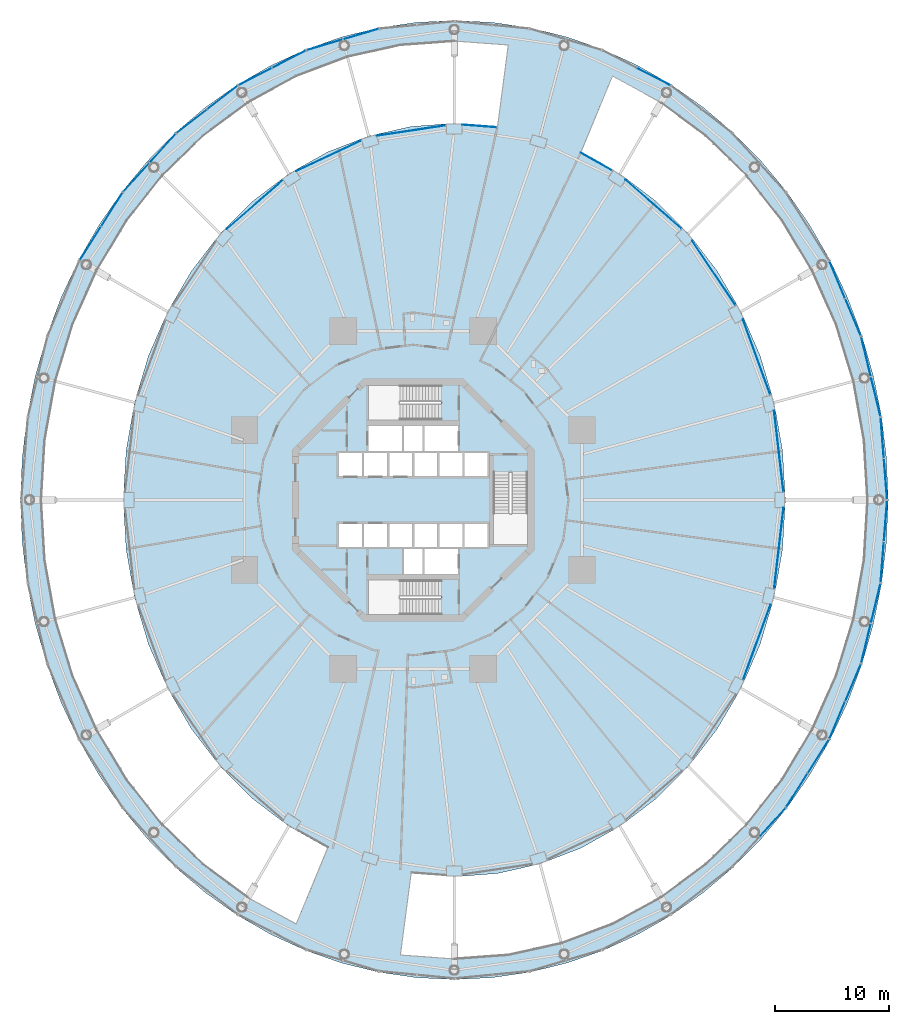
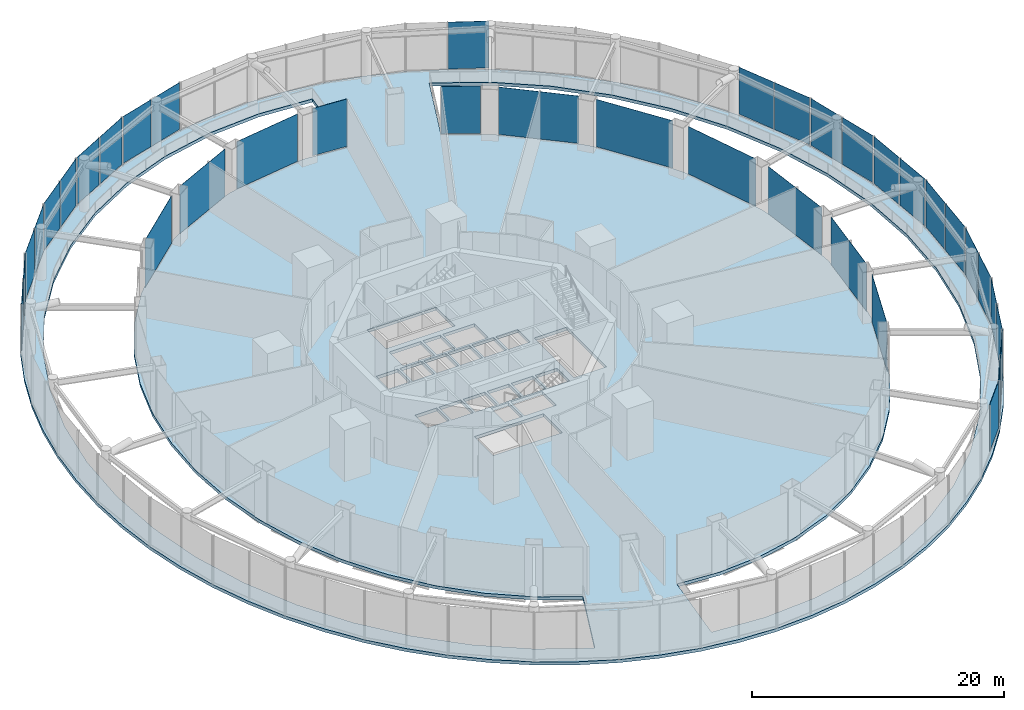
# One storey, part 42 of 52: 37 plates, 1 slab, 25 elements without a shape of their own.
"""IFC4 building model written with IfcOpenShell, lengths in metres."""

from ifc_helpers import new_model, si_unit, direction, frame, origin, origin_2d, place, context, subcontext, project, spatial, polyline, rectangle, outline, extrude, material, layer, layer_set, type_object, element, aggregate, save


model = new_model("IFC4")

# Units and contexts
model_context = context("Model", 3, precision=1e-05, world=origin(), true_north=direction((0.0, 1.0)))
body_context = subcontext(model_context, "Body", "Model", "MODEL_VIEW")
ifc_project = project(units=[si_unit("LENGTHUNIT", "METRE"), si_unit("AREAUNIT", "SQUARE_METRE"), si_unit("VOLUMEUNIT", "CUBIC_METRE"), si_unit("PLANEANGLEUNIT", "RADIAN"), si_unit("MASSUNIT", "GRAM", prefix="KILO")], contexts=[model_context])

# Site, building, storey
site_placement = place(None, origin())
site = spatial("IfcSite", under=ifc_project, at=site_placement, CompositionType="ELEMENT")
building_placement = place(site_placement, origin())
building = spatial("IfcBuilding", under=site, at=building_placement, Name="Nagisa Residences", CompositionType="ELEMENT")
storey_placement = place(building_placement, frame((0.0, 0.0, 22.0)))
storey = spatial("IfcBuildingStorey", under=building, at=storey_placement, Name="L04", CompositionType="ELEMENT", Elevation=22.0)

# Curtain wall, plates
ifc_material_1 = material(Name="Stainless steel curtain wall system", Category="steel")
ifc_layer_1 = layer(ifc_material_1, 0.159912109375)
ifc_layer_set_1 = layer_set([ifc_layer_1], Name="CW3 CURTAIN WALL")
curtain_wall_type_1 = type_object("IfcCurtainWallType", Name="CW3 CURTAIN WALL", PredefinedType="NOTDEFINED", material=ifc_layer_set_1)
curtain_wall_1_placement = place(storey_placement, origin())
curtain_wall_1 = element("IfcCurtainWall", 1, at=curtain_wall_1_placement, inside=storey, type_object=curtain_wall_type_1, Name="cw:CW3:L04:00", PredefinedType="NOTDEFINED")
ifc_material_2 = material(Name="Low-iron laminated glass", Category="glass")
ifc_layer_2 = layer(ifc_material_2, 0.028076171875)
ifc_layer_set_2 = layer_set([ifc_layer_2], Name="CW3 GLASS PANEL")
plate_type_1 = type_object("IfcPlateType", Name="CW3 GLASS PANEL", PredefinedType="CURTAIN_PANEL", material=ifc_layer_set_2)
plate_1_placement = place(storey_placement, frame((41.374267578125, 1.8369140625, 0.199951171875), z_axis=(0.0, 0.0, 1.0), x_axis=(-0.078909582539, 0.996881777235, 0.0)))
plate_1 = element("IfcPlate", 2, at=plate_1_placement, type_object=plate_type_1, Name="CW3 panel", PredefinedType="CURTAIN_PANEL", context=body_context, shape_type="SweptSolid", body=[
    extrude(rectangle(XDim=3.5380859375, YDim=0.028076171875, at=origin_2d()), origin(), (0.0, 0.0, 1.0), 4.5400390625),
])
plate_2_placement = place(storey_placement, frame((41.0888671875, 5.443603515625, 0.199951171875), z_axis=(0.0, 0.0, 1.0), x_axis=(-0.078909582539, 0.996881777235, 0.0)))
plate_2 = element("IfcPlate", 3, at=plate_2_placement, type_object=plate_type_1, Name="CW3 panel", PredefinedType="CURTAIN_PANEL", context=body_context, shape_type="SweptSolid", body=[
    extrude(rectangle(XDim=3.5380859375, YDim=0.028076171875, at=origin_2d()), origin(), (0.0, 0.0, 1.0), 4.5400390625),
])
aggregate(curtain_wall_1, [plate_1, plate_2])

curtain_wall_2_placement = place(storey_placement, origin())
curtain_wall_2 = element("IfcCurtainWall", 4, at=curtain_wall_2_placement, inside=storey, type_object=curtain_wall_type_1, Name="cw:CW3:L04:01", PredefinedType="NOTDEFINED")
plate_3_placement = place(storey_placement, frame((40.51171875, 9.061767578125, 0.199951171875), z_axis=(0.0, 0.0, 1.0), x_axis=(-0.235605514043, 0.971848775146, 0.0)))
plate_3 = element("IfcPlate", 5, at=plate_3_placement, type_object=plate_type_1, Name="CW3 panel", PredefinedType="CURTAIN_PANEL", context=body_context, shape_type="SweptSolid", body=[
    extrude(rectangle(XDim=3.518310546875, YDim=0.028076171875, at=origin_2d()), origin(), (0.0, 0.0, 1.0), 4.5400390625),
])
plate_4_placement = place(storey_placement, frame((39.663818359375, 12.55859375, 0.199951171875), z_axis=(0.0, 0.0, 1.0), x_axis=(-0.235605514043, 0.971848775146, 0.0)))
plate_4 = element("IfcPlate", 6, at=plate_4_placement, type_object=plate_type_1, Name="CW3 panel", PredefinedType="CURTAIN_PANEL", context=body_context, shape_type="SweptSolid", body=[
    extrude(rectangle(XDim=3.518310546875, YDim=0.028076171875, at=origin_2d()), origin(), (0.0, 0.0, 1.0), 4.5400390625),
])
aggregate(curtain_wall_2, [plate_3, plate_4])

curtain_wall_3_placement = place(storey_placement, origin())
curtain_wall_3 = element("IfcCurtainWall", 7, at=curtain_wall_3_placement, inside=storey, type_object=curtain_wall_type_1, Name="cw:CW3:L04:02", PredefinedType="NOTDEFINED")
plate_5_placement = place(storey_placement, frame((38.527099609375, 16.010986328125, 0.199951171875), z_axis=(0.0, 0.0, 1.0), x_axis=(-0.388718029417, 0.921356767819, 0.0)))
plate_5 = element("IfcPlate", 8, at=plate_5_placement, type_object=plate_type_1, Name="CW3 panel", PredefinedType="CURTAIN_PANEL", context=body_context, shape_type="SweptSolid", body=[
    extrude(rectangle(XDim=3.480712890625, YDim=0.028076171875, at=origin_2d()), origin(), (0.0, 0.0, 1.0), 4.5400390625),
])
plate_6_placement = place(storey_placement, frame((37.142822265625, 19.291748046875, 0.199951171875), z_axis=(0.0, 0.0, 1.0), x_axis=(-0.388718029417, 0.921356767819, 0.0)))
plate_6 = element("IfcPlate", 9, at=plate_6_placement, type_object=plate_type_1, Name="CW3 panel", PredefinedType="CURTAIN_PANEL", context=body_context, shape_type="SweptSolid", body=[
    extrude(rectangle(XDim=3.480712890625, YDim=0.028076171875, at=origin_2d()), origin(), (0.0, 0.0, 1.0), 4.5400390625),
])
aggregate(curtain_wall_3, [plate_5, plate_6])

# Curtain wall, plate
curtain_wall_4_placement = place(storey_placement, origin())
curtain_wall_4 = element("IfcCurtainWall", 10, at=curtain_wall_4_placement, inside=storey, type_object=curtain_wall_type_1, Name="cw:CW3:L04:06", PredefinedType="NOTDEFINED")
plate_7_placement = place(storey_placement, frame((21.044677734375, 37.084716796875, 0.199951171875), z_axis=(0.0, 0.0, 1.0), x_axis=(-0.888887270285, 0.45812598783, 0.0)))
plate_7 = element("IfcPlate", 11, at=plate_7_placement, type_object=plate_type_1, Name="CW3 panel", PredefinedType="CURTAIN_PANEL", context=body_context, shape_type="SweptSolid", body=[
    extrude(rectangle(XDim=3.2568359375, YDim=0.028076171875, at=origin_2d()), origin(), (0.0, 0.0, 1.0), 4.5400390625),
])
aggregate(curtain_wall_4, [plate_7])

# Curtain wall, plates
curtain_wall_5_placement = place(storey_placement, origin())
curtain_wall_5 = element("IfcCurtainWall", 12, at=curtain_wall_5_placement, inside=storey, type_object=curtain_wall_type_1, Name="cw:CW3:L04:10", PredefinedType="NOTDEFINED")
plate_8_placement = place(storey_placement, frame((-4.5947265625, 40.805908203125, 0.199951171875), z_axis=(0.0, 0.0, 1.0), x_axis=(-0.958835171393, -0.283963226669, 0.0)))
plate_8 = element("IfcPlate", 13, at=plate_8_placement, type_object=plate_type_1, Name="CW3 panel", PredefinedType="CURTAIN_PANEL", context=body_context, shape_type="SweptSolid", body=[
    extrude(rectangle(XDim=3.21630859375, YDim=0.028076171875, at=origin_2d()), origin(), (0.0, 0.0, 1.0), 4.5400390625),
])
plate_9_placement = place(storey_placement, frame((-7.75537109375, 39.869873046875, 0.199951171875), z_axis=(0.0, 0.0, 1.0), x_axis=(-0.958835171393, -0.283963226669, 0.0)))
plate_9 = element("IfcPlate", 14, at=plate_9_placement, type_object=plate_type_1, Name="CW3 panel", PredefinedType="CURTAIN_PANEL", context=body_context, shape_type="SweptSolid", body=[
    extrude(rectangle(XDim=3.21630859375, YDim=0.028076171875, at=origin_2d()), origin(), (0.0, 0.0, 1.0), 4.5400390625),
])
aggregate(curtain_wall_5, [plate_8, plate_9])

curtain_wall_6_placement = place(storey_placement, origin())
curtain_wall_6 = element("IfcCurtainWall", 15, at=curtain_wall_6_placement, inside=storey, type_object=curtain_wall_type_1, Name="cw:CW3:L04:11", PredefinedType="NOTDEFINED")
plate_10_placement = place(storey_placement, frame((-10.878662109375, 38.61328125, 0.199951171875), z_axis=(0.0, 0.0, 1.0), x_axis=(-0.888887270285, -0.45812598783, 0.0)))
plate_10 = element("IfcPlate", 16, at=plate_10_placement, type_object=plate_type_1, Name="CW3 panel", PredefinedType="CURTAIN_PANEL", context=body_context, shape_type="SweptSolid", body=[
    extrude(rectangle(XDim=3.2568359375, YDim=0.028076171875, at=origin_2d()), origin(), (0.0, 0.0, 1.0), 4.5400390625),
])
plate_11_placement = place(storey_placement, frame((-13.8447265625, 37.084716796875, 0.199951171875), z_axis=(0.0, 0.0, 1.0), x_axis=(-0.888887270285, -0.45812598783, 0.0)))
plate_11 = element("IfcPlate", 17, at=plate_11_placement, type_object=plate_type_1, Name="CW3 panel", PredefinedType="CURTAIN_PANEL", context=body_context, shape_type="SweptSolid", body=[
    extrude(rectangle(XDim=3.2568359375, YDim=0.028076171875, at=origin_2d()), origin(), (0.0, 0.0, 1.0), 4.5400390625),
])
aggregate(curtain_wall_6, [plate_10, plate_11])

curtain_wall_7_placement = place(storey_placement, origin())
curtain_wall_7 = element("IfcCurtainWall", 18, at=curtain_wall_7_placement, inside=storey, type_object=curtain_wall_type_1, Name="cw:CW3:L04:12", PredefinedType="NOTDEFINED")
plate_12_placement = place(storey_placement, frame((-16.723388671875, 35.247802734375, 0.199951171875), z_axis=(0.0, 0.0, 1.0), x_axis=(-0.790830864353, -0.612034757172, 0.0)))
plate_12 = element("IfcPlate", 19, at=plate_12_placement, type_object=plate_type_1, Name="CW3 panel", PredefinedType="CURTAIN_PANEL", context=body_context, shape_type="SweptSolid", body=[
    extrude(rectangle(XDim=3.310546875, YDim=0.028076171875, at=origin_2d()), origin(), (0.0, 0.0, 1.0), 4.5400390625),
])
plate_13_placement = place(storey_placement, frame((-19.40478515625, 33.172607421875, 0.199951171875), z_axis=(0.0, 0.0, 1.0), x_axis=(-0.790830864353, -0.612034757172, 0.0)))
plate_13 = element("IfcPlate", 20, at=plate_13_placement, type_object=plate_type_1, Name="CW3 panel", PredefinedType="CURTAIN_PANEL", context=body_context, shape_type="SweptSolid", body=[
    extrude(rectangle(XDim=3.310546875, YDim=0.028076171875, at=origin_2d()), origin(), (0.0, 0.0, 1.0), 4.5400390625),
])
aggregate(curtain_wall_7, [plate_12, plate_13])

curtain_wall_8_placement = place(storey_placement, origin())
curtain_wall_8 = element("IfcCurtainWall", 21, at=curtain_wall_8_placement, inside=storey, type_object=curtain_wall_type_1, Name="cw:CW3:L04:13", PredefinedType="NOTDEFINED")
plate_14_placement = place(storey_placement, frame((-21.950927734375, 30.811279296875, 0.199951171875), z_axis=(0.0, 0.0, 1.0), x_axis=(-0.670913323971, -0.741535779122, 0.0)))
plate_14 = element("IfcPlate", 22, at=plate_14_placement, type_object=plate_type_1, Name="CW3 panel", PredefinedType="CURTAIN_PANEL", context=body_context, shape_type="SweptSolid", body=[
    extrude(rectangle(XDim=3.37060546875, YDim=0.028076171875, at=origin_2d()), origin(), (0.0, 0.0, 1.0), 4.5400390625),
])
plate_15_placement = place(storey_placement, frame((-24.26611328125, 28.25244140625, 0.199951171875), z_axis=(0.0, 0.0, 1.0), x_axis=(-0.670913323971, -0.741535779122, 0.0)))
plate_15 = element("IfcPlate", 23, at=plate_15_placement, type_object=plate_type_1, Name="CW3 panel", PredefinedType="CURTAIN_PANEL", context=body_context, shape_type="SweptSolid", body=[
    extrude(rectangle(XDim=3.37060546875, YDim=0.028076171875, at=origin_2d()), origin(), (0.0, 0.0, 1.0), 4.5400390625),
])
aggregate(curtain_wall_8, [plate_14, plate_15])

curtain_wall_9_placement = place(storey_placement, origin())
curtain_wall_9 = element("IfcCurtainWall", 24, at=curtain_wall_9_placement, inside=storey, type_object=curtain_wall_type_1, Name="cw:CW3:L04:14", PredefinedType="NOTDEFINED")
plate_16_placement = place(storey_placement, frame((-26.402587890625, 25.43798828125, 0.199951171875), z_axis=(0.0, 0.0, 1.0), x_axis=(-0.535165286856, -0.844747368001, 0.0)))
plate_16 = element("IfcPlate", 25, at=plate_16_placement, type_object=plate_type_1, Name="CW3 panel", PredefinedType="CURTAIN_PANEL", context=body_context, shape_type="SweptSolid", body=[
    extrude(rectangle(XDim=3.4296875, YDim=0.028076171875, at=origin_2d()), origin(), (0.0, 0.0, 1.0), 4.5400390625),
])
plate_17_placement = place(storey_placement, frame((-28.28076171875, 22.473388671875, 0.199951171875), z_axis=(0.0, 0.0, 1.0), x_axis=(-0.535165286856, -0.844747368001, 0.0)))
plate_17 = element("IfcPlate", 26, at=plate_17_placement, type_object=plate_type_1, Name="CW3 panel", PredefinedType="CURTAIN_PANEL", context=body_context, shape_type="SweptSolid", body=[
    extrude(rectangle(XDim=3.4296875, YDim=0.028076171875, at=origin_2d()), origin(), (0.0, 0.0, 1.0), 4.5400390625),
])
aggregate(curtain_wall_9, [plate_16, plate_17])

# Curtain wall, plate
curtain_wall_10_placement = place(storey_placement, origin())
curtain_wall_10 = element("IfcCurtainWall", 27, at=curtain_wall_10_placement, inside=storey, type_object=curtain_wall_type_1, Name="cw:CW3:L04:31", PredefinedType="NOTDEFINED")
plate_18_placement = place(storey_placement, frame((31.466064453125, -28.25244140625, 0.199951171875), z_axis=(0.0, 0.0, 1.0), x_axis=(0.670913323971, 0.741535779122, 0.0)))
plate_18 = element("IfcPlate", 28, at=plate_18_placement, type_object=plate_type_1, Name="CW3 panel", PredefinedType="CURTAIN_PANEL", context=body_context, shape_type="SweptSolid", body=[
    extrude(rectangle(XDim=3.37060546875, YDim=0.028076171875, at=origin_2d()), origin(), (0.0, 0.0, 1.0), 4.5400390625),
])
aggregate(curtain_wall_10, [plate_18])

# Curtain wall, plates
curtain_wall_11_placement = place(storey_placement, origin())
curtain_wall_11 = element("IfcCurtainWall", 29, at=curtain_wall_11_placement, inside=storey, type_object=curtain_wall_type_1, Name="cw:CW3:L04:32", PredefinedType="NOTDEFINED")
plate_19_placement = place(storey_placement, frame((33.6025390625, -25.43798828125, 0.199951171875), z_axis=(0.0, 0.0, 1.0), x_axis=(0.535165286856, 0.844747368001, 0.0)))
plate_19 = element("IfcPlate", 30, at=plate_19_placement, type_object=plate_type_1, Name="CW3 panel", PredefinedType="CURTAIN_PANEL", context=body_context, shape_type="SweptSolid", body=[
    extrude(rectangle(XDim=3.4296875, YDim=0.028076171875, at=origin_2d()), origin(), (0.0, 0.0, 1.0), 4.5400390625),
])
plate_20_placement = place(storey_placement, frame((35.48095703125, -22.473388671875, 0.199951171875), z_axis=(0.0, 0.0, 1.0), x_axis=(0.535165286856, 0.844747368001, 0.0)))
plate_20 = element("IfcPlate", 31, at=plate_20_placement, type_object=plate_type_1, Name="CW3 panel", PredefinedType="CURTAIN_PANEL", context=body_context, shape_type="SweptSolid", body=[
    extrude(rectangle(XDim=3.4296875, YDim=0.028076171875, at=origin_2d()), origin(), (0.0, 0.0, 1.0), 4.5400390625),
])
aggregate(curtain_wall_11, [plate_19, plate_20])

curtain_wall_12_placement = place(storey_placement, origin())
curtain_wall_12 = element("IfcCurtainWall", 32, at=curtain_wall_12_placement, inside=storey, type_object=curtain_wall_type_1, Name="cw:CW3:L04:33", PredefinedType="NOTDEFINED")
plate_21_placement = place(storey_placement, frame((37.142822265625, -19.291748046875, 0.199951171875), z_axis=(0.0, 0.0, 1.0), x_axis=(0.388718029417, 0.921356767819, 0.0)))
plate_21 = element("IfcPlate", 33, at=plate_21_placement, type_object=plate_type_1, Name="CW3 panel", PredefinedType="CURTAIN_PANEL", context=body_context, shape_type="SweptSolid", body=[
    extrude(rectangle(XDim=3.480712890625, YDim=0.028076171875, at=origin_2d()), origin(), (0.0, 0.0, 1.0), 4.5400390625),
])
plate_22_placement = place(storey_placement, frame((38.527099609375, -16.010986328125, 0.199951171875), z_axis=(0.0, 0.0, 1.0), x_axis=(0.388718029417, 0.921356767819, 0.0)))
plate_22 = element("IfcPlate", 34, at=plate_22_placement, type_object=plate_type_1, Name="CW3 panel", PredefinedType="CURTAIN_PANEL", context=body_context, shape_type="SweptSolid", body=[
    extrude(rectangle(XDim=3.480712890625, YDim=0.028076171875, at=origin_2d()), origin(), (0.0, 0.0, 1.0), 4.5400390625),
])
aggregate(curtain_wall_12, [plate_21, plate_22])

curtain_wall_13_placement = place(storey_placement, origin())
curtain_wall_13 = element("IfcCurtainWall", 35, at=curtain_wall_13_placement, inside=storey, type_object=curtain_wall_type_1, Name="cw:CW3:L04:34", PredefinedType="NOTDEFINED")
plate_23_placement = place(storey_placement, frame((39.663818359375, -12.55859375, 0.199951171875), z_axis=(0.0, 0.0, 1.0), x_axis=(0.235605514043, 0.971848775146, 0.0)))
plate_23 = element("IfcPlate", 36, at=plate_23_placement, type_object=plate_type_1, Name="CW3 panel", PredefinedType="CURTAIN_PANEL", context=body_context, shape_type="SweptSolid", body=[
    extrude(rectangle(XDim=3.518310546875, YDim=0.028076171875, at=origin_2d()), origin(), (0.0, 0.0, 1.0), 4.5400390625),
])
plate_24_placement = place(storey_placement, frame((40.51171875, -9.061767578125, 0.199951171875), z_axis=(0.0, 0.0, 1.0), x_axis=(0.235605514043, 0.971848775146, 0.0)))
plate_24 = element("IfcPlate", 37, at=plate_24_placement, type_object=plate_type_1, Name="CW3 panel", PredefinedType="CURTAIN_PANEL", context=body_context, shape_type="SweptSolid", body=[
    extrude(rectangle(XDim=3.518310546875, YDim=0.028076171875, at=origin_2d()), origin(), (0.0, 0.0, 1.0), 4.5400390625),
])
aggregate(curtain_wall_13, [plate_23, plate_24])

curtain_wall_14_placement = place(storey_placement, origin())
curtain_wall_14 = element("IfcCurtainWall", 38, at=curtain_wall_14_placement, inside=storey, type_object=curtain_wall_type_1, Name="cw:CW3:L04:35", PredefinedType="NOTDEFINED")
plate_25_placement = place(storey_placement, frame((41.0888671875, -5.443603515625, 0.199951171875), z_axis=(0.0, 0.0, 1.0), x_axis=(0.078909582539, 0.996881777235, 0.0)))
plate_25 = element("IfcPlate", 39, at=plate_25_placement, type_object=plate_type_1, Name="CW3 panel", PredefinedType="CURTAIN_PANEL", context=body_context, shape_type="SweptSolid", body=[
    extrude(rectangle(XDim=3.5380859375, YDim=0.028076171875, at=origin_2d()), origin(), (0.0, 0.0, 1.0), 4.5400390625),
])
plate_26_placement = place(storey_placement, frame((41.374267578125, -1.8369140625, 0.199951171875), z_axis=(0.0, 0.0, 1.0), x_axis=(0.078909582539, 0.996881777235, 0.0)))
plate_26 = element("IfcPlate", 40, at=plate_26_placement, type_object=plate_type_1, Name="CW3 panel", PredefinedType="CURTAIN_PANEL", context=body_context, shape_type="SweptSolid", body=[
    extrude(rectangle(XDim=3.5380859375, YDim=0.028076171875, at=origin_2d()), origin(), (0.0, 0.0, 1.0), 4.5400390625),
])
aggregate(curtain_wall_14, [plate_25, plate_26])

# Curtain wall, plate
ifc_material_3 = material(Name="Stainless steel curtain wall system", Category="steel")
ifc_layer_3 = layer(ifc_material_3, 0.159912109375)
ifc_layer_set_3 = layer_set([ifc_layer_3], Name="CW6 CURTAIN WALL")
curtain_wall_type_2 = type_object("IfcCurtainWallType", Name="CW6 CURTAIN WALL", PredefinedType="NOTDEFINED", material=ifc_layer_set_3)
curtain_wall_15_placement = place(storey_placement, origin())
curtain_wall_15 = element("IfcCurtainWall", 41, at=curtain_wall_15_placement, inside=storey, type_object=curtain_wall_type_2, Name="cw:CW6:L04:00", PredefinedType="NOTDEFINED")
ifc_material_4 = material(Name="Low-iron laminated glass", Category="glass")
ifc_layer_4 = layer(ifc_material_4, 0.028076171875)
ifc_layer_set_4 = layer_set([ifc_layer_4], Name="CW6 GLASS PANEL")
plate_type_2 = type_object("IfcPlateType", Name="CW6 GLASS PANEL", PredefinedType="CURTAIN_PANEL", material=ifc_layer_set_4)
plate_27_placement = place(storey_placement, frame((32.02294921875, 4.291015625, 0.14990234375), z_axis=(0.0, 0.0, 1.0), x_axis=(-0.114928006139, 0.993373823596, 0.0)))
plate_27 = element("IfcPlate", 42, at=plate_27_placement, type_object=plate_type_2, Name="CW6 panel", PredefinedType="CURTAIN_PANEL", context=body_context, shape_type="SweptSolid", body=[
    extrude(rectangle(XDim=7.137939453125, YDim=0.028076171875, at=origin_2d()), origin(), (0.0, 0.0, 1.0), 4.590087890625),
])
aggregate(curtain_wall_15, [plate_27])

curtain_wall_16_placement = place(storey_placement, origin())
curtain_wall_16 = element("IfcCurtainWall", 43, at=curtain_wall_16_placement, inside=storey, type_object=curtain_wall_type_2, Name="cw:CW6:L04:02", PredefinedType="NOTDEFINED")
plate_28_placement = place(storey_placement, frame((30.077880859375, 12.521240234375, 0.14990234375), z_axis=(0.0, 0.0, 1.0), x_axis=(-0.342049702176, 0.939681861718, 0.0)))
plate_28 = element("IfcPlate", 44, at=plate_28_placement, type_object=plate_type_2, Name="CW6 panel", PredefinedType="CURTAIN_PANEL", context=body_context, shape_type="SweptSolid", body=[
    extrude(rectangle(XDim=7.009765625, YDim=0.028076171875, at=origin_2d()), origin(), (0.0, 0.0, 1.0), 4.590087890625),
])
aggregate(curtain_wall_16, [plate_28])

curtain_wall_17_placement = place(storey_placement, origin())
curtain_wall_17 = element("IfcCurtainWall", 45, at=curtain_wall_17_placement, inside=storey, type_object=curtain_wall_type_2, Name="cw:CW6:L04:04", PredefinedType="NOTDEFINED")
plate_29_placement = place(storey_placement, frame((26.327392578125, 19.8974609375, 0.14990234375), z_axis=(0.0, 0.0, 1.0), x_axis=(-0.559084136544, 0.829110926393, 0.0)))
plate_29 = element("IfcPlate", 46, at=plate_29_placement, type_object=plate_type_2, Name="CW6 panel", PredefinedType="CURTAIN_PANEL", context=body_context, shape_type="SweptSolid", body=[
    extrude(rectangle(XDim=6.783203125, YDim=0.028076171875, at=origin_2d()), origin(), (0.0, 0.0, 1.0), 4.590087890625),
])
aggregate(curtain_wall_17, [plate_29])

curtain_wall_18_placement = place(storey_placement, origin())
curtain_wall_18 = element("IfcCurtainWall", 47, at=curtain_wall_18_placement, inside=storey, type_object=curtain_wall_type_2, Name="cw:CW6:L04:06", PredefinedType="NOTDEFINED")
plate_30_placement = place(storey_placement, frame((21.02783203125, 25.916259765625, 0.14990234375), z_axis=(0.0, 0.0, 1.0), x_axis=(-0.753261216572, 0.657721475708, 0.0)))
plate_30 = element("IfcPlate", 48, at=plate_30_placement, type_object=plate_type_2, Name="CW6 panel", PredefinedType="CURTAIN_PANEL", context=body_context, shape_type="SweptSolid", body=[
    extrude(rectangle(XDim=6.513427734375, YDim=0.028076171875, at=origin_2d()), origin(), (0.0, 0.0, 1.0), 4.590087890625),
])
aggregate(curtain_wall_18, [plate_30])

curtain_wall_19_placement = place(storey_placement, origin())
curtain_wall_19 = element("IfcCurtainWall", 49, at=curtain_wall_19_placement, inside=storey, type_object=curtain_wall_type_2, Name="cw:CW6:L04:08", PredefinedType="NOTDEFINED")
plate_31_placement = place(storey_placement, frame((16.0283203125, 29.649658203125, 0.14990234375), z_axis=(0.0, 0.0, 1.0), x_axis=(-0.872072377523, 0.489376918501, 0.0)))
plate_31 = element("IfcPlate", 50, at=plate_31_placement, type_object=plate_type_2, Name="CW6 panel", PredefinedType="CURTAIN_PANEL", context=body_context, shape_type="SweptSolid", body=[
    extrude(rectangle(XDim=3.141357421875, YDim=0.028076171875, at=origin_2d()), origin(), (0.0, 0.0, 1.0), 4.590087890625),
])
aggregate(curtain_wall_19, [plate_31])

curtain_wall_20_placement = place(storey_placement, origin())
curtain_wall_20 = element("IfcCurtainWall", 51, at=curtain_wall_20_placement, inside=storey, type_object=curtain_wall_type_2, Name="cw:CW6:L04:11", PredefinedType="NOTDEFINED")
plate_32_placement = place(storey_placement, frame((5.805908203125, 32.75537109375, 0.14990234375), z_axis=(0.0, 0.0, 1.0), x_axis=(-0.997230168512, 0.074377355493, 0.0)))
plate_32 = element("IfcPlate", 52, at=plate_32_placement, type_object=plate_type_2, Name="CW6 panel", PredefinedType="CURTAIN_PANEL", context=body_context, shape_type="SweptSolid", body=[
    extrude(rectangle(XDim=3.035888671875, YDim=0.028076171875, at=origin_2d()), origin(), (0.0, 0.0, 1.0), 4.590087890625),
])
aggregate(curtain_wall_20, [plate_32])

curtain_wall_21_placement = place(storey_placement, origin())
curtain_wall_21 = element("IfcCurtainWall", 53, at=curtain_wall_21_placement, inside=storey, type_object=curtain_wall_type_2, Name="cw:CW6:L04:12", PredefinedType="NOTDEFINED")
plate_33_placement = place(storey_placement, frame((-0.170654296875, 32.354248046875, 0.14990234375), z_axis=(0.0, 0.0, 1.0), x_axis=(-0.988963689083, -0.148158096894, 0.0)))
plate_33 = element("IfcPlate", 54, at=plate_33_placement, type_object=plate_type_2, Name="CW6 panel", PredefinedType="CURTAIN_PANEL", context=body_context, shape_type="SweptSolid", body=[
    extrude(rectangle(XDim=6.12939453125, YDim=0.028076171875, at=origin_2d()), origin(), (0.0, 0.0, 1.0), 4.590087890625),
])
aggregate(curtain_wall_21, [plate_33])

curtain_wall_22_placement = place(storey_placement, origin())
curtain_wall_22 = element("IfcCurtainWall", 55, at=curtain_wall_22_placement, inside=storey, type_object=curtain_wall_type_2, Name="cw:CW6:L04:14", PredefinedType="NOTDEFINED")
plate_34_placement = place(storey_placement, frame((-7.39599609375, 30.14208984375, 0.14990234375), z_axis=(0.0, 0.0, 1.0), x_axis=(-0.904554286432, -0.426358467603, 0.0)))
plate_34 = element("IfcPlate", 56, at=plate_34_placement, type_object=plate_type_2, Name="CW6 panel", PredefinedType="CURTAIN_PANEL", context=body_context, shape_type="SweptSolid", body=[
    extrude(rectangle(XDim=6.272216796875, YDim=0.028076171875, at=origin_2d()), origin(), (0.0, 0.0, 1.0), 4.590087890625),
])
aggregate(curtain_wall_22, [plate_34])

curtain_wall_23_placement = place(storey_placement, origin())
curtain_wall_23 = element("IfcCurtainWall", 57, at=curtain_wall_23_placement, inside=storey, type_object=curtain_wall_type_2, Name="cw:CW6:L04:16", PredefinedType="NOTDEFINED")
plate_35_placement = place(storey_placement, frame((-13.873046875, 25.876708984375, 0.14990234375), z_axis=(0.0, 0.0, 1.0), x_axis=(-0.753261216572, -0.657721475708, 0.0)))
plate_35 = element("IfcPlate", 58, at=plate_35_placement, type_object=plate_type_2, Name="CW6 panel", PredefinedType="CURTAIN_PANEL", context=body_context, shape_type="SweptSolid", body=[
    extrude(rectangle(XDim=6.513427734375, YDim=0.028076171875, at=origin_2d()), origin(), (0.0, 0.0, 1.0), 4.590087890625),
])
aggregate(curtain_wall_23, [plate_35])

curtain_wall_24_placement = place(storey_placement, origin())
curtain_wall_24 = element("IfcCurtainWall", 59, at=curtain_wall_24_placement, inside=storey, type_object=curtain_wall_type_2, Name="cw:CW6:L04:44", PredefinedType="NOTDEFINED")
plate_36_placement = place(storey_placement, frame((30.098388671875, -12.46484375, 0.14990234375), z_axis=(0.0, 0.0, 1.0), x_axis=(0.342049702176, 0.939681861718, 0.0)))
plate_36 = element("IfcPlate", 60, at=plate_36_placement, type_object=plate_type_2, Name="CW6 panel", PredefinedType="CURTAIN_PANEL", context=body_context, shape_type="SweptSolid", body=[
    extrude(rectangle(XDim=7.009765625, YDim=0.028076171875, at=origin_2d()), origin(), (0.0, 0.0, 1.0), 4.590087890625),
])
aggregate(curtain_wall_24, [plate_36])

curtain_wall_25_placement = place(storey_placement, origin())
curtain_wall_25 = element("IfcCurtainWall", 61, at=curtain_wall_25_placement, inside=storey, type_object=curtain_wall_type_2, Name="cw:CW6:L04:46", PredefinedType="NOTDEFINED")
plate_37_placement = place(storey_placement, frame((32.02978515625, -4.2314453125, 0.14990234375), z_axis=(0.0, 0.0, 1.0), x_axis=(0.114928006139, 0.993373823596, 0.0)))
plate_37 = element("IfcPlate", 62, at=plate_37_placement, type_object=plate_type_2, Name="CW6 panel", PredefinedType="CURTAIN_PANEL", context=body_context, shape_type="SweptSolid", body=[
    extrude(rectangle(XDim=7.137939453125, YDim=0.028076171875, at=origin_2d()), origin(), (0.0, 0.0, 1.0), 4.590087890625),
])
aggregate(curtain_wall_25, [plate_37])

# Slab
ifc_material_5 = material(Name="Concrete C40", Category="concrete")
ifc_layer_5 = layer(ifc_material_5, 0.300048828125)
ifc_layer_set_5 = layer_set([ifc_layer_5], Name="Floor slab 300")
slab_type = type_object("IfcSlabType", Name="Floor slab 300", PredefinedType="FLOOR", material=ifc_layer_set_5)
slab_placement = place(storey_placement, frame((0.0, 0.0, -0.300048828125)))
element("IfcSlab", 63, at=slab_placement, inside=storey, type_object=slab_type, Name="slab:L04:floor", PredefinedType="FLOOR", context=body_context, shape_type="SweptSolid", body=[
    extrude(outline(polyline([(41.60009765625, 0.0), (41.455322265625, 3.66064453125), (41.022705078125, 7.293212890625), (40.30517578125, 10.870361328125), (39.308349609375, 14.36474609375), (38.039794921875, 17.75), (36.509033203125, 21.0), (34.727783203125, 24.09033203125), (32.709716796875, 26.9970703125), (30.469970703125, 29.698486328125), (28.02587890625, 32.173828125), (25.39599609375, 34.404296875), (22.60009765625, 36.373046875), (19.659423828125, 38.06494140625), (16.5966796875, 39.467041015625), (13.43505859375, 40.56884765625), (10.19873046875, 41.36181640625), (6.911865234375, 41.840087890625), (3.60009765625, 42.0), (0.2880859375, 41.840087890625), (-2.99853515625, 41.36181640625), (-6.235107421875, 40.56884765625), (-9.396728515625, 39.467041015625), (-12.45947265625, 38.06494140625), (-15.39990234375, 36.373046875), (-18.19580078125, 34.404296875), (-20.825927734375, 32.173828125), (-23.27001953125, 29.698486328125), (-25.509765625, 26.9970703125), (-27.52783203125, 24.09033203125), (-29.30908203125, 21.0), (-30.839599609375, 17.75), (-32.1083984375, 14.36474609375), (-33.105224609375, 10.870361328125), (-33.82275390625, 7.293212890625), (-34.25537109375, 3.66064453125), (-34.39990234375, 0.0), (-34.25537109375, -3.66064453125), (-33.82275390625, -7.293212890625), (-33.105224609375, -10.870361328125), (-32.1083984375, -14.36474609375), (-30.839599609375, -17.75), (-29.30908203125, -21.0), (-27.52783203125, -24.09033203125), (-25.509765625, -26.9970703125), (-23.27001953125, -29.698486328125), (-20.825927734375, -32.173828125), (-18.19580078125, -34.404296875), (-15.39990234375, -36.373046875), (-12.45947265625, -38.06494140625), (-9.396728515625, -39.467041015625), (-6.235107421875, -40.56884765625), (-2.99853515625, -41.36181640625), (0.2880859375, -41.840087890625), (3.60009765625, -42.0), (6.911865234375, -41.840087890625), (10.19873046875, -41.36181640625), (13.43505859375, -40.56884765625), (16.5966796875, -39.467041015625), (19.659423828125, -38.06494140625), (22.60009765625, -36.373046875), (25.39599609375, -34.404296875), (28.02587890625, -32.173828125), (30.469970703125, -29.698486328125), (32.709716796875, -26.9970703125), (34.727783203125, -24.09033203125), (36.509033203125, -21.0), (38.039794921875, -17.75), (39.308349609375, -14.36474609375), (40.30517578125, -10.870361328125), (41.022705078125, -7.293212890625), (41.455322265625, -3.66064453125), (41.60009765625, 0.0)]), holes=[polyline([(-4.5, 2.10009765625), (-4.5, 4.10009765625), (-6.5, 4.10009765625), (-6.5, 2.10009765625), (-4.5, 2.10009765625)]), polyline([(-2.300048828125, 2.10009765625), (-2.300048828125, 4.10009765625), (-4.300048828125, 4.10009765625), (-4.300048828125, 2.10009765625), (-2.300048828125, 2.10009765625)]), polyline([(-0.10009765625, 2.10009765625), (-0.10009765625, 4.10009765625), (-2.10009765625, 4.10009765625), (-2.10009765625, 2.10009765625), (-0.10009765625, 2.10009765625)]), polyline([(2.10009765625, 2.10009765625), (2.10009765625, 4.10009765625), (0.10009765625, 4.10009765625), (0.10009765625, 2.10009765625), (2.10009765625, 2.10009765625)]), polyline([(4.300048828125, 2.10009765625), (4.300048828125, 4.10009765625), (2.300048828125, 4.10009765625), (2.300048828125, 2.10009765625), (4.300048828125, 2.10009765625)]), polyline([(6.5, 2.10009765625), (6.5, 4.10009765625), (4.5, 4.10009765625), (4.5, 2.10009765625), (6.5, 2.10009765625)]), polyline([(-4.5, -4.10009765625), (-4.5, -2.10009765625), (-6.5, -2.10009765625), (-6.5, -4.10009765625), (-4.5, -4.10009765625)]), polyline([(-2.300048828125, -4.10009765625), (-2.300048828125, -2.10009765625), (-4.300048828125, -2.10009765625), (-4.300048828125, -4.10009765625), (-2.300048828125, -4.10009765625)]), polyline([(-0.10009765625, -4.10009765625), (-0.10009765625, -2.10009765625), (-2.10009765625, -2.10009765625), (-2.10009765625, -4.10009765625), (-0.10009765625, -4.10009765625)]), polyline([(2.10009765625, -4.10009765625), (2.10009765625, -2.10009765625), (0.10009765625, -2.10009765625), (0.10009765625, -4.10009765625), (2.10009765625, -4.10009765625)]), polyline([(4.300048828125, -4.10009765625), (4.300048828125, -2.10009765625), (2.300048828125, -2.10009765625), (2.300048828125, -4.10009765625), (4.300048828125, -4.10009765625)]), polyline([(6.5, -4.10009765625), (6.5, -2.10009765625), (4.5, -2.10009765625), (4.5, -4.10009765625), (6.5, -4.10009765625)]), polyline([(3.89990234375, 4.300048828125), (3.89990234375, 6.5), (1.0, 6.5), (1.0, 4.300048828125), (3.89990234375, 4.300048828125)]), polyline([(3.89990234375, -6.5), (3.89990234375, -4.300048828125), (1.0, -4.300048828125), (1.0, -6.5), (3.89990234375, -6.5)]), polyline([(-1.0, 4.300048828125), (-1.0, 6.5), (-3.89990234375, 6.5), (-3.89990234375, 4.300048828125), (-1.0, 4.300048828125)]), polyline([(0.800048828125, 4.300048828125), (0.800048828125, 6.5), (-0.800048828125, 6.5), (-0.800048828125, 4.300048828125), (0.800048828125, 4.300048828125)]), polyline([(0.800048828125, -6.5), (0.800048828125, -4.300048828125), (-0.800048828125, -4.300048828125), (-0.800048828125, -6.5), (0.800048828125, -6.5)]), polyline([(10.024658203125, -3.89990234375), (7.024658203125, -3.89990234375), (7.024658203125, 2.425048828125), (10.024658203125, 2.425048828125), (10.024658203125, -3.89990234375)]), polyline([(-3.89990234375, 7.024658203125), (-3.89990234375, 10.024658203125), (2.425048828125, 10.024658203125), (2.425048828125, 7.024658203125), (-3.89990234375, 7.024658203125)]), polyline([(-3.89990234375, -10.024658203125), (-3.89990234375, -7.024658203125), (2.425048828125, -7.024658203125), (2.425048828125, -10.024658203125), (-3.89990234375, -10.024658203125)]), polyline([(8.324951171875, 39.856201171875), (3.60009765625, 40.199951171875), (-1.125, 39.856201171875), (-5.769287109375, 38.830322265625), (-10.253173828125, 37.139892578125), (-14.5, 34.814208984375), (-18.437255859375, 31.892822265625), (-21.997314453125, 28.42578125), (-25.119384765625, 24.47216796875), (-27.75, 20.10009765625), (-29.844482421875, 15.3837890625), (-31.366455078125, 10.404541015625), (-32.290283203125, 5.2470703125), (-32.60009765625, 0.0), (-32.290283203125, -5.2470703125), (-31.366455078125, -10.404541015625), (-29.844482421875, -15.3837890625), (-27.75, -20.10009765625), (-25.119384765625, -24.47216796875), (-21.997314453125, -28.42578125), (-18.437255859375, -31.892822265625), (-14.5, -34.814208984375), (-10.253173828125, -37.139892578125), (-7.497802734375, -30.488037109375), (-10.89990234375, -28.578857421875), (-14.05419921875, -26.1806640625), (-16.906005859375, -23.33447265625), (-19.4072265625, -20.089111328125), (-21.5146484375, -16.5), (-23.192626953125, -12.628662109375), (-24.411865234375, -8.541015625), (-25.15185546875, -4.307373046875), (-25.39990234375, 0.0), (-25.15185546875, 4.307373046875), (-24.411865234375, 8.541015625), (-23.192626953125, 12.628662109375), (-21.5146484375, 16.5), (-19.4072265625, 20.089111328125), (-16.906005859375, 23.33447265625), (-14.05419921875, 26.1806640625), (-10.89990234375, 28.578857421875), (-7.497802734375, 30.488037109375), (-3.90576171875, 31.87548828125), (-0.185302734375, 32.7177734375), (3.60009765625, 33.0), (7.38525390625, 32.7177734375), (8.324951171875, 39.856201171875)]), polyline([(-1.125, -39.856201171875), (3.60009765625, -40.199951171875), (8.324951171875, -39.856201171875), (12.96923828125, -38.830322265625), (17.453125, -37.139892578125), (21.699951171875, -34.814208984375), (25.63720703125, -31.892822265625), (29.197265625, -28.42578125), (32.3193359375, -24.47216796875), (34.9501953125, -20.10009765625), (37.04443359375, -15.3837890625), (38.56640625, -10.404541015625), (39.490234375, -5.2470703125), (39.800048828125, 0.0), (39.490234375, 5.2470703125), (38.56640625, 10.404541015625), (37.04443359375, 15.3837890625), (34.9501953125, 20.10009765625), (32.3193359375, 24.47216796875), (29.197265625, 28.42578125), (25.63720703125, 31.892822265625), (21.699951171875, 34.814208984375), (17.453125, 37.139892578125), (14.69775390625, 30.488037109375), (18.10009765625, 28.578857421875), (21.254150390625, 26.1806640625), (24.106201171875, 23.33447265625), (26.607177734375, 20.089111328125), (28.71484375, 16.5), (30.392578125, 12.628662109375), (31.61181640625, 8.541015625), (32.351806640625, 4.307373046875), (32.60009765625, 0.0), (32.351806640625, -4.307373046875), (31.61181640625, -8.541015625), (30.392578125, -12.628662109375), (28.71484375, -16.5), (26.607177734375, -20.089111328125), (24.106201171875, -23.33447265625), (21.254150390625, -26.1806640625), (18.10009765625, -28.578857421875), (14.69775390625, -30.488037109375), (11.105712890625, -31.87548828125), (7.38525390625, -32.7177734375), (3.60009765625, -33.0), (-0.185302734375, -32.7177734375), (-1.125, -39.856201171875)])]), origin(), (0.0, 0.0, 1.0), 0.300048828125),
])

save(model, "model.ifc")
